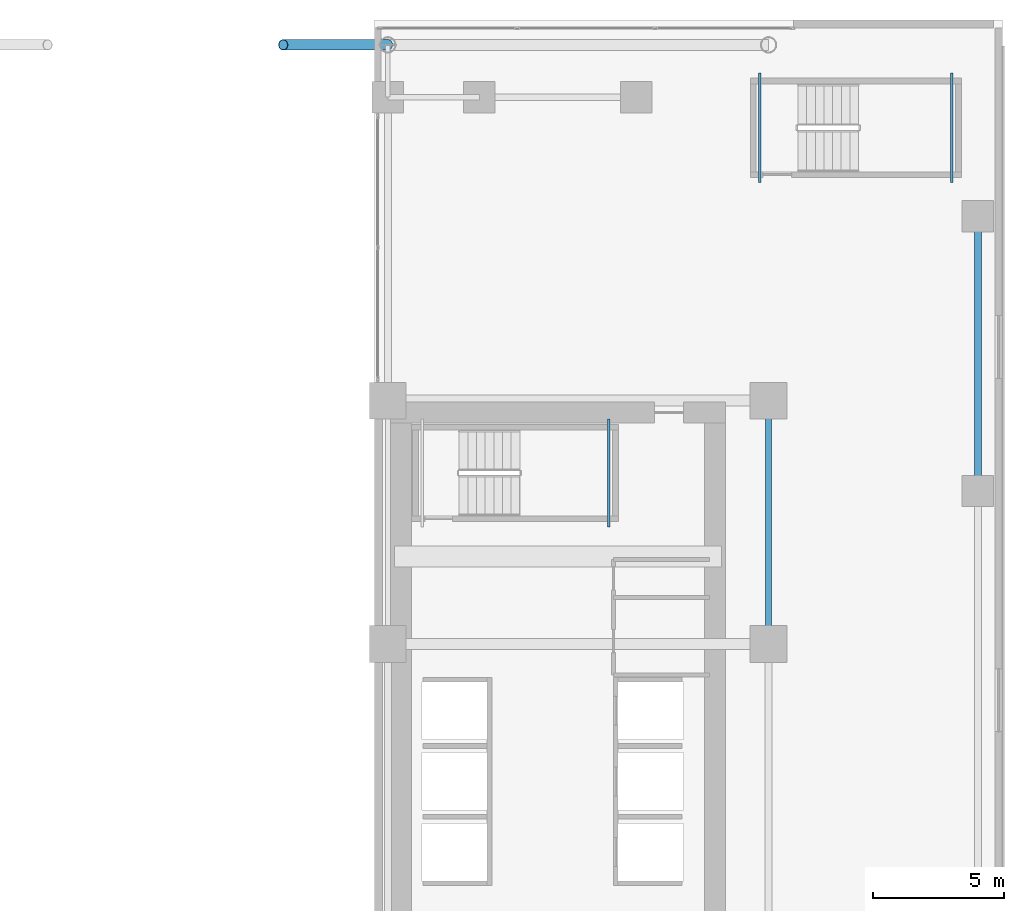
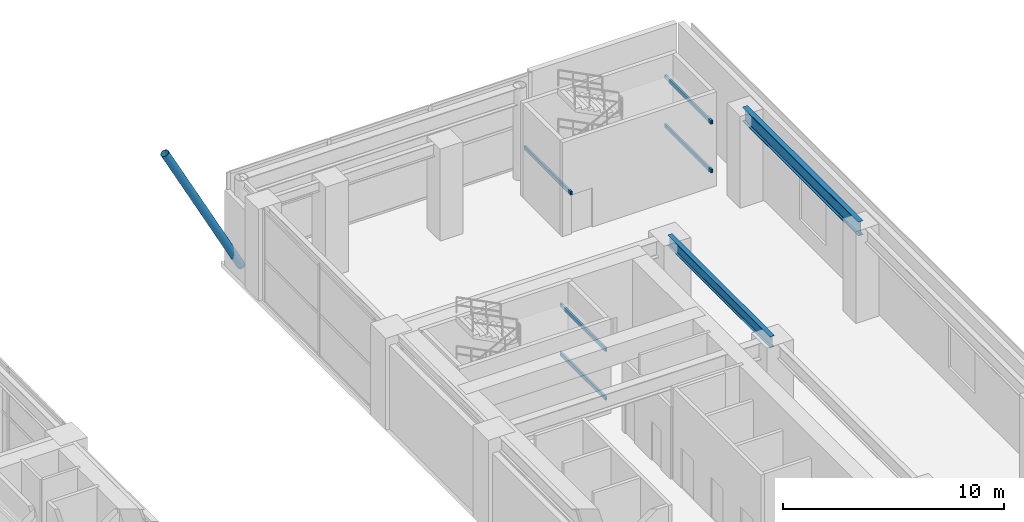
# One storey, part 16 of 29: 7 beams, 1 member.
"""IFC4 building model written with IfcOpenShell, lengths in metres."""

from ifc_helpers import new_model, si_unit, direction, frame, origin, origin_2d, place, context, subcontext, project, spatial, hollow_rectangle, hollow_circle, i_section, extrude, source, transform, mapped, material, material_profile, profile_set, type_object, element, save


model = new_model("IFC4")

# Units and contexts
model_context = context("Model", 3, precision=1e-05, world=origin(), true_north=direction((0.0, 1.0)))
body_context = subcontext(model_context, "Body", "Model", "MODEL_VIEW")
ifc_project = project(units=[si_unit("LENGTHUNIT", "METRE"), si_unit("AREAUNIT", "SQUARE_METRE"), si_unit("VOLUMEUNIT", "CUBIC_METRE"), si_unit("PLANEANGLEUNIT", "RADIAN"), si_unit("MASSUNIT", "GRAM", prefix="KILO")], contexts=[model_context])

# Site, building, storey
site_placement = place(None, origin())
site = spatial("IfcSite", under=ifc_project, at=site_placement, CompositionType="ELEMENT")
building_placement = place(site_placement, origin())
building = spatial("IfcBuilding", under=site, at=building_placement, Name="Ocotamira Hotel", CompositionType="ELEMENT")
storey_placement = place(building_placement, frame((0.0, 0.0, 6.0)))
storey = spatial("IfcBuildingStorey", under=building, at=storey_placement, Name="L02", CompositionType="ELEMENT", Elevation=6.0)

# Beams
ifc_material_1 = material(Name="Steel ASTM A500 Grade C", Category="steel")
ifc_material_profile_1 = material_profile(ifc_material_1, hollow_rectangle(XDim=0.10009765625, YDim=0.199951171875, WallThickness=0.008056640625, at=origin_2d()), Name="HSS200X100X8")
ifc_profile_set_1 = profile_set([ifc_material_profile_1], Name="Steel ASTM A500 Grade C")
beam_type_1 = type_object("IfcBeamType", Name="BM-STLDG-HSS200", PredefinedType="BEAM", material=ifc_profile_set_1)
shared_shape_1 = source(origin(), body_context, "Body", "SweptSolid", [
    extrude(hollow_rectangle(XDim=0.10009765625, YDim=0.199951171875, WallThickness=0.008056640625, at=origin_2d()), origin(), (0.0, 0.0, 1.0), 4.1201171875),
])
for number, where, z_axis, x_axis, name in (
    (1, (48.949951171875, 32.6298828125, 1.050048828125), (0.0, 1.0, 0.0), (-1.0, 0.0, 0.0), "L02 Stair ST-4 Landing Bearer 1"),
    (2, (48.949951171875, 32.6298828125, 3.75), (0.0, 1.0, 0.0), (-1.0, 0.0, 0.0), "L02 Stair ST-4 Landing Bearer 3"),
):
    element("IfcBeam", number, at=place(storey_placement, frame(where, z_axis=z_axis, x_axis=x_axis)), inside=storey, type_object=beam_type_1, Name=name, PredefinedType="BEAM", context=body_context, shape_type="MappedRepresentation", body=[
        mapped(shared_shape_1, transform((0.0, 0.0, 0.0), scale=1.0)),
    ])
shared_shape_2 = source(origin(), body_context, "Body", "SweptSolid", [
    extrude(hollow_rectangle(XDim=0.10009765625, YDim=0.199951171875, WallThickness=0.008056640625, at=origin_2d()), origin(), (0.0, 0.0, 1.0), 4.199951171875),
])
for number, where, z_axis, x_axis, name in (
    (3, (62.06005859375, 45.780029296875, 1.050048828125), (0.0, 1.0, 0.0), (-1.0, 0.0, 0.0), "L02 Stair ST-6 Landing Bearer 1"),
    (4, (54.719970703125, 45.780029296875, 2.39990234375), (0.0, 1.0, 0.0), (-1.0, 0.0, 0.0), "L02 Stair ST-6 Landing Bearer 2"),
    (5, (62.06005859375, 45.780029296875, 3.75), (0.0, 1.0, 0.0), (-1.0, 0.0, 0.0), "L02 Stair ST-6 Landing Bearer 3"),
):
    element("IfcBeam", number, at=place(storey_placement, frame(where, z_axis=z_axis, x_axis=x_axis)), inside=storey, type_object=beam_type_1, Name=name, PredefinedType="BEAM", context=body_context, shape_type="MappedRepresentation", body=[
        mapped(shared_shape_2, transform((0.0, 0.0, 0.0), scale=1.0)),
    ])
ifc_material_2 = material(Name="Steel ASTM A992 Grade 50", Category="steel")
ifc_material_profile_2 = material_profile(ifc_material_2, i_section(OverallWidth=0.26611328125, OverallDepth=0.779052734375, WebThickness=0.0166015625, FlangeThickness=0.030029296875, FilletRadius=0.01806640625, at=origin_2d()), Name="W30X148")
ifc_profile_set_2 = profile_set([ifc_material_profile_2], Name="Steel ASTM A992 Grade 50")
beam_type_2 = type_object("IfcBeamType", Name="BM-GIRD-W30X148", PredefinedType="BEAM", material=ifc_profile_set_2)
shared_shape_3 = source(origin(), body_context, "Body", "SweptSolid", [
    extrude(i_section(OverallWidth=0.26611328125, OverallDepth=0.779052734375, WebThickness=0.0166015625, FlangeThickness=0.030029296875, FilletRadius=0.01806640625, at=origin_2d()), origin(), (0.0, 0.0, 1.0), 10.5),
])
beam_1_placement = place(storey_placement, frame((63.050048828125, 34.0, 4.6904296875), z_axis=(0.0, 1.0, 0.0), x_axis=(-1.0, 0.0, 0.0)))
element("IfcBeam", 6, at=beam_1_placement, inside=storey, type_object=beam_type_2, Name="L02 Beam X63.05 Y34-44.5", PredefinedType="BEAM", context=body_context, shape_type="MappedRepresentation", body=[
    mapped(shared_shape_3, transform((0.0, 0.0, 0.0), scale=1.0)),
])
ifc_material_profile_3 = material_profile(ifc_material_2, i_section(OverallWidth=0.22998046875, OverallDepth=0.616943359375, WebThickness=0.01318359375, FlangeThickness=0.022216796875, FilletRadius=0.012939453125, at=origin_2d()), Name="W24X94")
ifc_profile_set_3 = profile_set([ifc_material_profile_3], Name="Steel ASTM A992 Grade 50")
beam_type_3 = type_object("IfcBeamType", Name="BM-PRIM-W24X94", PredefinedType="BEAM", material=ifc_profile_set_3)
shared_shape_4 = source(origin(), body_context, "Body", "SweptSolid", [
    extrude(i_section(OverallWidth=0.22998046875, OverallDepth=0.616943359375, WebThickness=0.01318359375, FlangeThickness=0.022216796875, FilletRadius=0.012939453125, at=origin_2d()), origin(), (0.0, 0.0, 1.0), 9.300048828125),
])
beam_2_placement = place(storey_placement, frame((55.050048828125, 28.14990234375, 4.771484375), z_axis=(0.0, 1.0, 0.0), x_axis=(-1.0, 0.0, 0.0)))
element("IfcBeam", 7, at=beam_2_placement, inside=storey, type_object=beam_type_3, Name="L02 Beam X55.05 Y28.15-37.45", PredefinedType="BEAM", context=body_context, shape_type="MappedRepresentation", body=[
    mapped(shared_shape_4, transform((0.0, 0.0, 0.0), scale=1.0)),
])

# Member
ifc_material_3 = material(Name="Pale-metal coated steel ASTM A500 Grade C", Category="steel")
ifc_material_profile_4 = material_profile(ifc_material_3, hollow_circle(Radius=0.202880859375, WallThickness=0.01611328125, at=origin_2d()), Name="CHS406X16")
ifc_profile_set_4 = profile_set([ifc_material_profile_4], Name="Pale-metal coated steel ASTM A500 Grade C")
member_type = type_object("IfcMemberType", Name="MEM-ARCH-CHS406", PredefinedType="CHORD", material=ifc_profile_set_4)
shared_shape_5 = source(origin(), body_context, "Body", "SweptSolid", [
    extrude(hollow_circle(Radius=0.202880859375, WallThickness=0.01611328125, at=origin_2d()), origin(), (0.0, 0.0, 1.0), 8.58837890625),
])
member_placement = place(storey_placement, frame((36.5, 51.050048828125, 7.800048828125), z_axis=(0.465741746442, 0.0, -0.884920688888), x_axis=(0.0, 1.0, 0.0)))
element("IfcMember", 8, at=member_placement, inside=storey, type_object=member_type, Name="Giant Portal Arch Rib N4", PredefinedType="CHORD", context=body_context, shape_type="MappedRepresentation", body=[
    mapped(shared_shape_5, transform((0.0, 0.0, 0.0), scale=1.0)),
])

save(model, "model.ifc")
